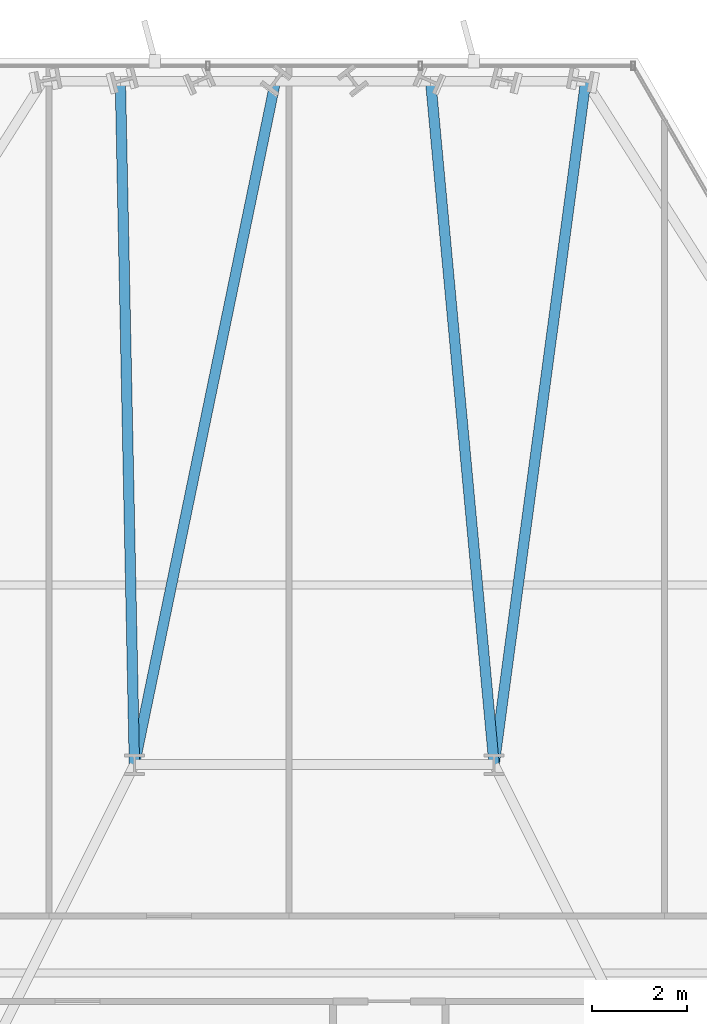
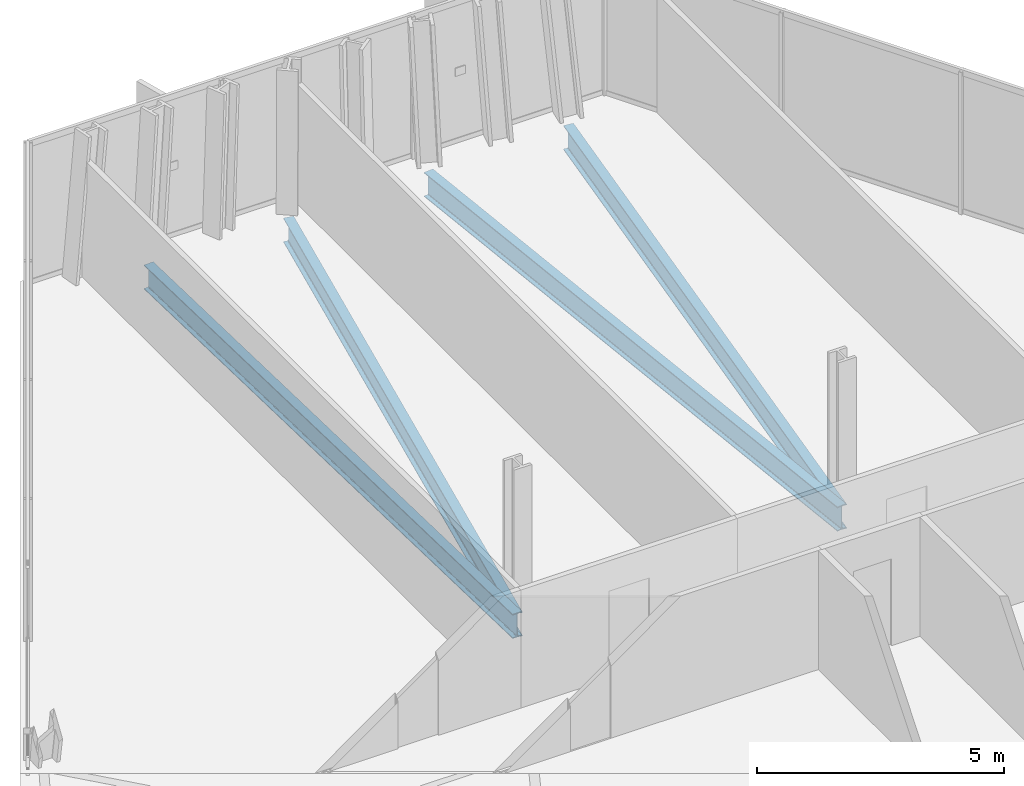
# One storey, part 21 of 31: 4 beams.
"""IFC4 building model written with IfcOpenShell, lengths in metres."""

from ifc_helpers import new_model, si_unit, direction, frame, origin, origin_2d, place, context, subcontext, project, spatial, i_section, extrude, material, material_profile, profile_set, type_object, element, save


model = new_model("IFC4")

# Units and contexts
model_context = context("Model", 3, precision=1e-05, world=origin(), true_north=direction((0.0, 1.0)))
body_context = subcontext(model_context, "Body", "Model", "MODEL_VIEW")
ifc_project = project(units=[si_unit("LENGTHUNIT", "METRE"), si_unit("AREAUNIT", "SQUARE_METRE"), si_unit("VOLUMEUNIT", "CUBIC_METRE"), si_unit("PLANEANGLEUNIT", "RADIAN"), si_unit("MASSUNIT", "GRAM", prefix="KILO")], contexts=[model_context])

# Site, building, storey
site_placement = place(None, origin())
site = spatial("IfcSite", under=ifc_project, at=site_placement, CompositionType="ELEMENT")
building_placement = place(site_placement, origin())
building = spatial("IfcBuilding", under=site, at=building_placement, Name="Ndaravel Arena Tower", CompositionType="ELEMENT")
storey_placement = place(building_placement, frame((0.0, 0.0, 108.199951171875)))
storey = spatial("IfcBuildingStorey", under=building, at=storey_placement, Name="L25", CompositionType="ELEMENT", Elevation=108.199951171875)

# Beams
ifc_material = material(Name="Steel S355", Category="steel")
ifc_material_profile = material_profile(ifc_material, i_section(OverallWidth=0.219970703125, OverallDepth=0.60009765625, WebThickness=0.011962890625, FlangeThickness=0.01904296875, FilletRadius=0.02392578125, at=origin_2d()), Name="IPE 600")
ifc_profile_set = profile_set([ifc_material_profile], Name="Steel S355")
beam_type = type_object("IfcBeamType", Name="BM-GIRD-IPE600", PredefinedType="BEAM", material=ifc_profile_set)
beam_1_placement = place(storey_placement, frame((47.7353515625, 45.642578125, -0.52001953125), z_axis=(-0.132812285384, -0.99114120934, 0.0), x_axis=(0.99114120934, -0.132812285384, 0.0)))
element("IfcBeam", 1, at=beam_1_placement, inside=storey, type_object=beam_type, Name="L25 Radial Floor Girder FG-11", PredefinedType="BEAM", context=body_context, shape_type="SweptSolid", body=[
    extrude(i_section(OverallWidth=0.219970703125, OverallDepth=0.60009765625, WebThickness=0.011962890625, FlangeThickness=0.01904296875, FilletRadius=0.02392578125, at=origin_2d()), origin(), (0.0, 0.0, 1.0), 14.57177734375),
])
beam_2_placement = place(storey_placement, frame((44.4580078125, 45.642578125, -0.52001953125), z_axis=(0.092523632985, -0.995710488716, 0.0), x_axis=(0.995710488716, 0.092523632985, 0.0)))
element("IfcBeam", 2, at=beam_2_placement, inside=storey, type_object=beam_type, Name="L25 Radial Floor Girder FG-13", PredefinedType="BEAM", context=body_context, shape_type="SweptSolid", body=[
    extrude(i_section(OverallWidth=0.219970703125, OverallDepth=0.60009765625, WebThickness=0.011962890625, FlangeThickness=0.01904296875, FilletRadius=0.02392578125, at=origin_2d()), origin(), (0.0, 0.0, 1.0), 14.5048828125),
])
beam_3_placement = place(storey_placement, frame((41.1806640625, 45.642578125, -0.52001953125), z_axis=(-0.202123286894, -0.97936008541, 0.0), x_axis=(0.97936008541, -0.202123286894, 0.0)))
element("IfcBeam", 3, at=beam_3_placement, inside=storey, type_object=beam_type, Name="L25 Radial Floor Girder FG-15", PredefinedType="BEAM", context=body_context, shape_type="SweptSolid", body=[
    extrude(i_section(OverallWidth=0.219970703125, OverallDepth=0.60009765625, WebThickness=0.011962890625, FlangeThickness=0.01904296875, FilletRadius=0.02392578125, at=origin_2d()), origin(), (0.0, 0.0, 1.0), 14.7470703125),
])
beam_4_placement = place(storey_placement, frame((37.9033203125, 45.642578125, -0.52001953125), z_axis=(0.020534236315, -0.999789150341, 0.0), x_axis=(0.999789150341, 0.020534236315, 0.0)))
element("IfcBeam", 4, at=beam_4_placement, inside=storey, type_object=beam_type, Name="L25 Radial Floor Girder FG-17", PredefinedType="BEAM", context=body_context, shape_type="SweptSolid", body=[
    extrude(i_section(OverallWidth=0.219970703125, OverallDepth=0.60009765625, WebThickness=0.011962890625, FlangeThickness=0.01904296875, FilletRadius=0.02392578125, at=origin_2d()), origin(), (0.0, 0.0, 1.0), 14.445556640625),
])

save(model, "model.ifc")
